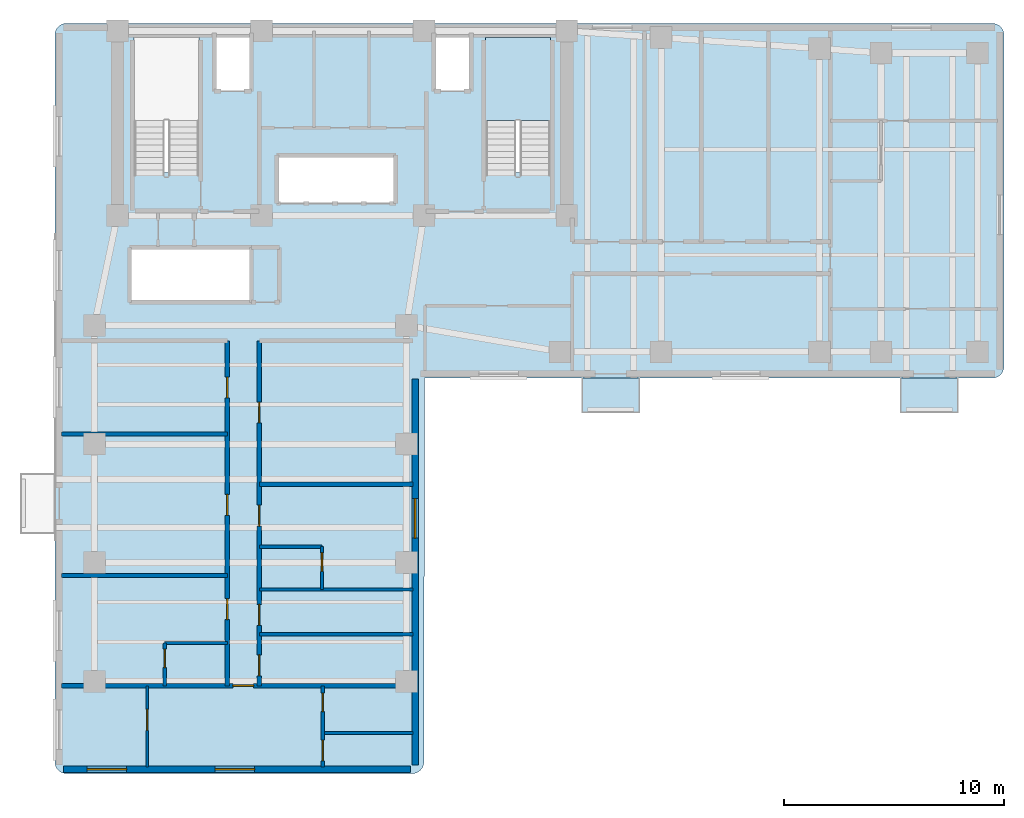
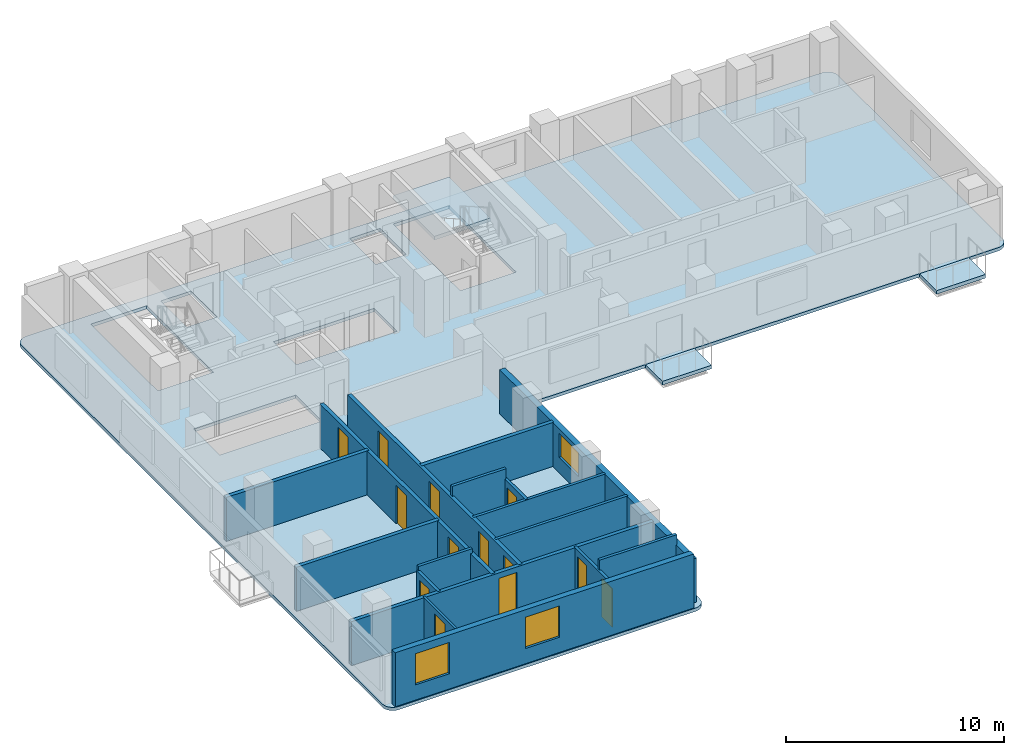
# One storey, part 2 of 7: 17 walls, 13 doors, 4 slabs, 3 windows, 16 openings, 1 element without a shape of its own.
"""IFC4 building model written with IfcOpenShell, lengths in metres."""

import ifcopenshell
import ifcopenshell.guid

model = None  # the IFC model being written
_history = None  # IfcOwnerHistory: only IFC2X3 demands one
_inside = {}  # id of a spatial element -> (the spatial element, [elements in it])
_under = {}  # id of a project, library or spatial element -> (it, [spatial elements below it])
_declared = {}  # id of a project -> (the project, [libraries it declares])
_typed = {}  # id of a type object -> (the type object, [elements of that type])
_made_of = {}  # id of a material, layer set ... -> (it, [elements and type objects made of it])


def new_model(schema):
    """Start an empty IFC model of exactly this schema.

    Asked for "IFC4X3", IfcOpenShell would pick the latest addendum, in which some entities
    have other attributes; the version numbers below select the first issue.
    IFC2X3 requires an IfcOwnerHistory on every rooted entity: one is made here for all.
    """
    global model, _history
    if schema == "IFC4X3":
        model = ifcopenshell.file(schema_version=(4, 3, 0, 0))
    else:
        model = ifcopenshell.file(schema=schema)
    _inside.clear()
    _under.clear()
    _declared.clear()
    _typed.clear()
    _made_of.clear()
    _history = None
    if model.schema == "IFC2X3":
        org = make("IfcOrganization", Name="unknown")
        user = make(
            "IfcPersonAndOrganization",
            ThePerson=make("IfcPerson", FamilyName="unknown"),
            TheOrganization=org,
        )
        app = make(
            "IfcApplication",
            ApplicationDeveloper=org,
            Version="unknown",
            ApplicationFullName="unknown",
            ApplicationIdentifier="unknown",
        )
        _history = make(
            "IfcOwnerHistory",
            OwningUser=user,
            OwningApplication=app,
            ChangeAction="ADDED",
            CreationDate=0,
        )
    return model


def make(cls, **values):
    """One entity of the class cls with the attributes given. An attribute that is None is left unset."""
    return model.create_entity(
        cls, **{name: value for name, value in values.items() if value is not None}
    )


def rooted(cls, **values):
    """An entity with a GlobalId (a new one), such as an element, a storey or a relation."""
    return make(cls, GlobalId=ifcopenshell.guid.new(), OwnerHistory=_history, **values)


def si_unit(unit_type, name, prefix=None):
    """IfcSIUnit, for example si_unit("LENGTHUNIT", "METRE", prefix="MILLI")."""
    return make("IfcSIUnit", UnitType=unit_type, Prefix=prefix, Name=name)


def assignment(units):
    """IfcUnitAssignment: the units of a project."""
    return None if units is None else make("IfcUnitAssignment", Units=units)


def point(xyz):
    """IfcCartesianPoint."""
    return None if xyz is None else make("IfcCartesianPoint", Coordinates=xyz)


def direction(xyz):
    """IfcDirection."""
    return None if xyz is None else make("IfcDirection", DirectionRatios=xyz)


def frame(location, z_axis=None, x_axis=None):
    """IfcAxis2Placement3D, a coordinate frame: its origin and axes. An axis left out is left unset."""
    return make(
        "IfcAxis2Placement3D",
        Location=point(location),
        Axis=direction(z_axis),
        RefDirection=direction(x_axis),
    )


def frame_2d(location, x_axis=None):
    """IfcAxis2Placement2D, a coordinate frame in the plane: its origin and x axis."""
    return make(
        "IfcAxis2Placement2D", Location=point(location), RefDirection=direction(x_axis)
    )


def origin():
    """The frame at (0, 0, 0) with its axes left unset."""
    return frame((0.0, 0.0, 0.0))


def place(relative_to, where):
    """IfcLocalPlacement: puts the frame where relative to a parent placement (None: the world)."""
    return make(
        "IfcLocalPlacement", PlacementRelTo=relative_to, RelativePlacement=where
    )


def context(
    kind, dimensions, precision=None, world=None, true_north=None, identifier=None
):
    """IfcGeometricRepresentationContext, for example the 3D "Model" context."""
    return make(
        "IfcGeometricRepresentationContext",
        ContextIdentifier=identifier,
        ContextType=kind,
        CoordinateSpaceDimension=dimensions,
        Precision=precision,
        WorldCoordinateSystem=world,
        TrueNorth=true_north,
    )


def subcontext(parent, identifier, kind, view, scale=None):
    """IfcGeometricRepresentationSubContext, for example "Body" below "Model"."""
    return make(
        "IfcGeometricRepresentationSubContext",
        ContextIdentifier=identifier,
        ContextType=kind,
        ParentContext=parent,
        TargetScale=scale,
        TargetView=view,
    )


def project(units=None, contexts=None):
    """IfcProject with its units and contexts."""
    return rooted(
        "IfcProject",
        Name="project",
        RepresentationContexts=contexts,
        UnitsInContext=assignment(units),
    )


def spatial(cls, under=None, at=None, **own):
    """A site, building, storey or space (cls), placed at a placement, below another one or the project."""
    s = rooted(cls, ObjectPlacement=at, **own)
    if under is not None:
        _under.setdefault(under.id(), (under, []))[1].append(s)
    return s


def polyline(points):
    """IfcPolyline through the points."""
    return make("IfcPolyline", Points=[point(p) for p in points])


def profile(cls, at=None, kind="AREA", **sizes):
    """A parametric profile (cls). Its sizes go by their IFC names, for example OverallWidth=200.0."""
    return make(cls, ProfileType=kind, Position=at, **sizes)


def rectangle(**sizes):
    """IfcRectangleProfileDef."""
    return profile("IfcRectangleProfileDef", **sizes)


def outline(outer, holes=None, kind="AREA"):
    """IfcArbitraryClosedProfileDef: a profile drawn as a closed curve; with holes, ...WithVoids."""
    if holes is None:
        return make("IfcArbitraryClosedProfileDef", ProfileType=kind, OuterCurve=outer)
    return make(
        "IfcArbitraryProfileDefWithVoids",
        ProfileType=kind,
        OuterCurve=outer,
        InnerCurves=holes,
    )


def extrude(swept, where, along, depth):
    """IfcExtrudedAreaSolid: the profile swept, set in the frame where, extruded along a direction by depth."""
    return make(
        "IfcExtrudedAreaSolid",
        SweptArea=swept,
        Position=where,
        ExtrudedDirection=direction(along),
        Depth=depth,
    )


def shape(context_of_items, identifier, shape_type, items):
    """IfcShapeRepresentation: the items that make up one representation, for example the "Body"."""
    return make(
        "IfcShapeRepresentation",
        ContextOfItems=context_of_items,
        RepresentationIdentifier=identifier,
        RepresentationType=shape_type,
        Items=items,
    )


def material(Name=None, Category=None):
    """IfcMaterial."""
    return make("IfcMaterial", Name=Name, Category=Category)


def layer(
    of_material, thickness, ventilated=None, Name=None, Category=None, Priority=None
):
    """IfcMaterialLayer: one layer of a wall or slab, of a material (None: an air gap)."""
    return make(
        "IfcMaterialLayer",
        Material=of_material,
        LayerThickness=thickness,
        IsVentilated=ventilated,
        Name=Name,
        Category=Category,
        Priority=Priority,
    )


def layer_set(layers, Name=None):
    """IfcMaterialLayerSet."""
    return make("IfcMaterialLayerSet", MaterialLayers=layers, LayerSetName=Name)


def made_of(thing, what):
    """Note that an element or type object is made of a material, layer set ...; save() writes the relation."""
    if what is not None:
        _made_of.setdefault(what.id(), (what, []))[1].append(thing)
    return thing


def type_object(cls, material=None, **own):
    """A type object (cls), such as IfcWallType, which elements share."""
    return made_of(rooted(cls, **own), material)


def element(
    cls,
    number,
    at=None,
    inside=None,
    cuts=None,
    type_object=None,
    material=None,
    context=None,
    identifier="Body",
    shape_type=None,
    held_by="IfcProductDefinitionShape",
    body=None,
    shapes=None,
    **own,
):
    """One element of the class cls, such as IfcWall. Its Tag is "e" and its number.

    at: its placement. inside: the storey or other place that contains it. cuts: it is an
    opening in that element (IfcRelVoidsElement). A single representation is given by context,
    identifier, shape_type and body (its items); several are given by shapes. held_by: the class
    of the entity that holds the representations. save() writes the other relations.
    """
    e = rooted(cls, Tag="e%d" % number, ObjectPlacement=at, **own)
    if body is not None:
        shapes = [shape(context, identifier, shape_type, body)]
    if shapes is not None:
        e.Representation = make(held_by, Representations=shapes)
    if inside is not None:
        _inside.setdefault(inside.id(), (inside, []))[1].append(e)
    if cuts is not None:
        rooted(
            "IfcRelVoidsElement", RelatingBuildingElement=cuts, RelatedOpeningElement=e
        )
    if type_object is not None:
        _typed.setdefault(type_object.id(), (type_object, []))[1].append(e)
    return made_of(e, material)


def fill(opening, filler):
    """IfcRelFillsElement: the door or window that sits in an opening."""
    return rooted(
        "IfcRelFillsElement",
        RelatingOpeningElement=opening,
        RelatedBuildingElement=filler,
    )


def aggregate(whole, parts):
    """IfcRelAggregates: a whole, such as a stair, and the parts it consists of."""
    return rooted("IfcRelAggregates", RelatingObject=whole, RelatedObjects=parts)


def save(model, path):
    """Write the relations noted so far, then the file.

    IfcRelAggregates (storeys below a building ...), IfcRelContainedInSpatialStructure (elements
    in a storey), IfcRelDefinesByType, IfcRelAssociatesMaterial and IfcRelDeclares: one each for
    every whole, place, type object, material and project.
    """
    for whole, parts in _under.values():
        aggregate(whole, parts)
    for where, things in _inside.values():
        rooted(
            "IfcRelContainedInSpatialStructure",
            RelatedElements=things,
            RelatingStructure=where,
        )
    for kind, things in _typed.values():
        rooted("IfcRelDefinesByType", RelatedObjects=things, RelatingType=kind)
    for what, things in _made_of.values():
        rooted("IfcRelAssociatesMaterial", RelatedObjects=things, RelatingMaterial=what)
    for by, libraries in _declared.values():
        rooted("IfcRelDeclares", RelatingContext=by, RelatedDefinitions=libraries)
    model.write(path)


model = new_model("IFC4")

# Units and contexts
model_context = context("Model", 3, precision=1e-05, world=origin(), true_north=direction((0.0, 1.0)))
body_context = subcontext(model_context, "Body", "Model", "MODEL_VIEW")
ifc_project = project(units=[si_unit("LENGTHUNIT", "METRE"), si_unit("AREAUNIT", "SQUARE_METRE"), si_unit("VOLUMEUNIT", "CUBIC_METRE"), si_unit("PLANEANGLEUNIT", "RADIAN"), si_unit("MASSUNIT", "GRAM", prefix="KILO")], contexts=[model_context])

# Site, building, storey
site_placement = place(None, origin())
site = spatial("IfcSite", under=ifc_project, at=site_placement, CompositionType="ELEMENT")
building_placement = place(site_placement, origin())
building = spatial("IfcBuilding", under=site, at=building_placement, Name="Kuzgunbayir Cultural Tower", CompositionType="ELEMENT")
storey_placement = place(building_placement, frame((0.0, 0.0, 133.0)))
storey = spatial("IfcBuildingStorey", under=building, at=storey_placement, Name="L38", CompositionType="ELEMENT", Elevation=133.0)

# Slabs
ifc_material_1 = material(Name="Concrete C40/50", Category="concrete")
ifc_layer_1 = layer(ifc_material_1, 0.199951171875)
ifc_layer_set_1 = layer_set([ifc_layer_1], Name="Concrete C40/50")
slab_type_1 = type_object("IfcSlabType", Name="SLB-BAL-STONE", PredefinedType="FLOOR", material=ifc_layer_set_1)
slab_1_placement = place(storey_placement, frame((0.0, 0.0, -0.199951171875)))
element("IfcSlab", 1, at=slab_1_placement, inside=storey, type_object=slab_type_1, Name="L38 Projecting Limestone Balcony BAL-L38-WB1", PredefinedType="FLOOR", context=body_context, shape_type="SweptSolid", body=[
    extrude(outline(polyline([(27.60009765625, 24.840087890625), (30.199951171875, 24.840087890625), (30.199951171875, 26.39990234375), (27.60009765625, 26.39990234375), (27.60009765625, 24.840087890625)])), origin(), (0.0, 0.0, 1.0), 0.199951171875),
])
slab_2_placement = place(storey_placement, frame((0.0, 0.0, -0.199951171875)))
element("IfcSlab", 2, at=slab_2_placement, inside=storey, type_object=slab_type_1, Name="L38 Projecting Limestone Balcony BAL-L38-WB3", PredefinedType="FLOOR", context=body_context, shape_type="SweptSolid", body=[
    extrude(outline(polyline([(42.10009765625, 24.840087890625), (44.699951171875, 24.840087890625), (44.699951171875, 26.39990234375), (42.10009765625, 26.39990234375), (42.10009765625, 24.840087890625)])), origin(), (0.0, 0.0, 1.0), 0.199951171875),
])

# Stair, slab
stair_type = type_object("IfcStairType", Name="STR-EXIT-CORE", PredefinedType="HALF_TURN_STAIR", material=ifc_material_1)
stair_placement = place(storey_placement, origin())
stair = element("IfcStair", 3, at=stair_placement, inside=storey, type_object=stair_type, Name="L38 ST-2", PredefinedType="HALF_TURN_STAIR")
ifc_layer_2 = layer(ifc_material_1, 0.179931640625)
ifc_layer_set_2 = layer_set([ifc_layer_2], Name="Concrete C40/50")
slab_type_2 = type_object("IfcSlabType", Name="SLB-LANDING-180", PredefinedType="LANDING", material=ifc_layer_set_2)
slab_3_placement = place(storey_placement, frame((0.0, 0.0, 1.39990234375)))
slab_3 = element("IfcSlab", 4, at=slab_3_placement, type_object=slab_type_2, Name="ST-2 landing 1", PredefinedType="LANDING", context=body_context, shape_type="SweptSolid", body=[
    extrude(outline(polyline([(26.159912109375, 38.1201171875), (26.159912109375, 41.89990234375), (23.199951171875, 41.89990234375), (23.199951171875, 38.1201171875), (26.159912109375, 38.1201171875)])), origin(), (0.0, 0.0, 1.0), 0.2001953125),
])
aggregate(stair, [slab_3])

# Slab
ifc_layer_3 = layer(ifc_material_1, 0.179931640625)
ifc_layer_set_3 = layer_set([ifc_layer_3], Name="Concrete C40/50")
slab_type_3 = type_object("IfcSlabType", Name="SLB-TYP-180", PredefinedType="FLOOR", material=ifc_layer_set_3)
slab_4_placement = place(storey_placement, frame((0.0, 0.0, -0.179931640625)))
element("IfcSlab", 5, at=slab_4_placement, inside=storey, type_object=slab_type_3, Name="L38 Tower 1 Floor Slab T1-MAIN", PredefinedType="FLOOR", context=body_context, shape_type="SweptSolid", body=[
    extrude(outline(polyline([(20.39990234375, 8.949951171875), (20.389892578125, 8.840087890625), (20.360107421875, 8.739990234375), (20.31005859375, 8.639892578125), (20.239990234375, 8.56005859375), (20.159912109375, 8.489990234375), (20.06005859375, 8.43994140625), (19.9599609375, 8.409912109375), (19.85009765625, 8.39990234375), (4.14990234375, 8.39990234375), (4.0400390625, 8.409912109375), (3.93994140625, 8.43994140625), (3.840087890625, 8.489990234375), (3.760009765625, 8.56005859375), (3.68994140625, 8.639892578125), (3.639892578125, 8.739990234375), (3.610107421875, 8.840087890625), (3.60009765625, 8.949951171875), (3.60009765625, 42.0), (3.610107421875, 42.110107421875), (3.639892578125, 42.2099609375), (3.68994140625, 42.31005859375), (3.760009765625, 42.389892578125), (3.840087890625, 42.4599609375), (3.93994140625, 42.510009765625), (4.0400390625, 42.5400390625), (4.14990234375, 42.550048828125), (46.25, 42.550048828125), (46.360107421875, 42.5400390625), (46.4599609375, 42.510009765625), (46.56005859375, 42.4599609375), (46.639892578125, 42.389892578125), (46.7099609375, 42.31005859375), (46.760009765625, 42.2099609375), (46.7900390625, 42.110107421875), (46.800048828125, 42.0), (46.800048828125, 26.949951171875), (46.7900390625, 26.840087890625), (46.760009765625, 26.739990234375), (46.7099609375, 26.639892578125), (46.639892578125, 26.56005859375), (46.56005859375, 26.489990234375), (46.4599609375, 26.43994140625), (46.360107421875, 26.409912109375), (46.25, 26.39990234375), (20.429931640625, 26.39990234375), (20.39990234375, 8.949951171875)]), holes=[polyline([(7.199951171875, 35.760009765625), (7.199951171875, 41.89990234375), (10.159912109375, 41.89990234375), (10.159912109375, 35.760009765625), (7.199951171875, 35.760009765625)]), polyline([(23.199951171875, 35.760009765625), (23.199951171875, 41.89990234375), (26.159912109375, 41.89990234375), (26.159912109375, 35.760009765625), (23.199951171875, 35.760009765625)]), polyline([(13.75, 34.39990234375), (13.75, 36.5), (19.080078125, 36.5), (19.080078125, 34.39990234375), (13.75, 34.39990234375)]), polyline([(7.10009765625, 29.89990234375), (7.10009765625, 32.300048828125), (12.5, 32.300048828125), (12.5, 29.89990234375), (7.10009765625, 29.89990234375)]), polyline([(10.89990234375, 39.5), (10.89990234375, 41.89990234375), (12.5, 41.89990234375), (12.5, 39.5), (10.89990234375, 39.5)]), polyline([(20.89990234375, 39.5), (20.89990234375, 41.89990234375), (22.5, 41.89990234375), (22.5, 39.5), (20.89990234375, 39.5)])]), origin(), (0.0, 0.0, 1.0), 0.179931640625),
])

# Wall, openings, windows
ifc_material_2 = material(Name="Anatolian Cream Limestone", Category="masonry")
ifc_layer_4 = layer(ifc_material_2, 0.300048828125)
ifc_layer_set_4 = layer_set([ifc_layer_4], Name="Anatolian Cream Limestone")
wall_type_1 = type_object("IfcWallType", Name="WAL-EXT-STONE-300", PredefinedType="STANDARD", material=ifc_layer_set_4)
wall_1_placement = place(storey_placement, frame((4.0, 8.60009765625, 0.0), z_axis=(0.0, 0.0, 1.0), x_axis=(1.0, 0.0, 0.0)))
wall_1 = element("IfcWall", 6, at=wall_1_placement, inside=storey, type_object=wall_type_1, Name="L38 Wing A South Limestone Wall", PredefinedType="STANDARD", context=body_context, shape_type="SweptSolid", body=[
    extrude(rectangle(XDim=15.800048828125, YDim=0.300048828125, at=frame_2d((7.89990234375, 0.0))), origin(), (0.0, 0.0, 1.0), 3.02001953125),
])
opening_1_placement = place(wall_1_placement, frame((1.070068359375, 0.0, 0.85009765625)))
opening_1 = element("IfcOpeningElement", 7, at=opening_1_placement, cuts=wall_1, Name="Opening WH-18", PredefinedType="OPENING", context=body_context, shape_type="SweptSolid", body=[
    extrude(rectangle(XDim=1.800048828125, YDim=1.75, at=frame_2d((0.89990234375, 0.875))), frame((0.0, 0.16015625, 0.0), z_axis=(0.0, -1.0, 0.0), x_axis=(1.0, 0.0, 0.0)), (0.0, 0.0, 1.0), 0.320068359375),
])
opening_2_placement = place(wall_1_placement, frame((6.89990234375, 0.0, 0.85009765625)))
opening_2 = element("IfcOpeningElement", 8, at=opening_2_placement, cuts=wall_1, Name="Opening WH-18", PredefinedType="OPENING", context=body_context, shape_type="SweptSolid", body=[
    extrude(rectangle(XDim=1.800048828125, YDim=1.75, at=frame_2d((0.89990234375, 0.875))), frame((0.0, 0.16015625, 0.0), z_axis=(0.0, -1.0, 0.0), x_axis=(1.0, 0.0, 0.0)), (0.0, 0.0, 1.0), 0.320068359375),
])
ifc_material_3 = material(Name="Solar-Control Triple Glazing", Category="glass")
window_type = type_object("IfcWindowType", Name="WIN-HOTEL-18", PartitioningType="SINGLE_PANEL", PredefinedType="WINDOW", material=ifc_material_3)
window_1_placement = place(opening_1_placement, origin())
window_1 = element("IfcWindow", 9, at=window_1_placement, inside=storey, type_object=window_type, Name="L38 WAS Facade Window 4", OverallHeight=1.75, OverallWidth=1.800048828125, PartitioningType="SINGLE_PANEL", PredefinedType="WINDOW", context=body_context, shape_type="SweptSolid", body=[
    extrude(rectangle(XDim=1.800048828125, YDim=1.75, at=frame_2d((0.89990234375, 0.875))), frame((0.0, 0.030029296875, 0.0), z_axis=(0.0, -1.0, 0.0), x_axis=(1.0, 0.0, 0.0)), (0.0, 0.0, 1.0), 0.06005859375),
])
fill(opening_1, window_1)
window_2_placement = place(opening_2_placement, origin())
window_2 = element("IfcWindow", 10, at=window_2_placement, inside=storey, type_object=window_type, Name="L38 WAS Facade Window 5", OverallHeight=1.75, OverallWidth=1.800048828125, PartitioningType="SINGLE_PANEL", PredefinedType="WINDOW", context=body_context, shape_type="SweptSolid", body=[
    extrude(rectangle(XDim=1.800048828125, YDim=1.75, at=frame_2d((0.89990234375, 0.875))), frame((0.0, 0.030029296875, 0.0), z_axis=(0.0, -1.0, 0.0), x_axis=(1.0, 0.0, 0.0)), (0.0, 0.0, 1.0), 0.06005859375),
])
fill(opening_2, window_2)

# Wall, opening, window
wall_2_placement = place(storey_placement, frame((20.0, 8.800048828125, 0.0), z_axis=(0.0, 0.0, 1.0), x_axis=(0.0, 1.0, 0.0)))
wall_2 = element("IfcWall", 11, at=wall_2_placement, inside=storey, type_object=wall_type_1, Name="L38 Wing A East Limestone Wall", PredefinedType="STANDARD", context=body_context, shape_type="SweptSolid", body=[
    extrude(rectangle(XDim=17.550048828125, YDim=0.300048828125, at=frame_2d((8.77490234375, 0.0))), origin(), (0.0, 0.0, 1.0), 2.4599609375),
])
opening_3_placement = place(wall_2_placement, frame((10.320068359375, 0.0, 0.85009765625)))
opening_3 = element("IfcOpeningElement", 12, at=opening_3_placement, cuts=wall_2, Name="Opening WH-18", PredefinedType="OPENING", context=body_context, shape_type="SweptSolid", body=[
    extrude(rectangle(XDim=1.800048828125, YDim=1.360107421875, at=frame_2d((0.89990234375, 0.68017578125))), frame((0.0, 0.16015625, 0.0), z_axis=(0.0, -1.0, 0.0), x_axis=(1.0, 0.0, 0.0)), (0.0, 0.0, 1.0), 0.320068359375),
])
window_3_placement = place(opening_3_placement, origin())
window_3 = element("IfcWindow", 13, at=window_3_placement, inside=storey, type_object=window_type, Name="L38 WAE Facade Window 6", OverallHeight=1.360107421875, OverallWidth=1.800048828125, PartitioningType="SINGLE_PANEL", PredefinedType="WINDOW", context=body_context, shape_type="SweptSolid", body=[
    extrude(rectangle(XDim=1.800048828125, YDim=1.360107421875, at=frame_2d((0.89990234375, 0.68017578125))), frame((0.0, 0.030029296875, 0.0), z_axis=(0.0, -1.0, 0.0), x_axis=(1.0, 0.0, 0.0)), (0.0, 0.0, 1.0), 0.06005859375),
])
fill(opening_3, window_3)

# Wall
ifc_material_4 = material(Name="Acoustic Double-Stud Drywall", Category="gypsum")
ifc_layer_5 = layer(ifc_material_4, 0.14990234375)
ifc_layer_set_5 = layer_set([ifc_layer_5], Name="Acoustic Double-Stud Drywall")
wall_type_2 = type_object("IfcWallType", Name="WAL-PART-ACOUSTIC-150", PredefinedType="PARTITIONING", material=ifc_layer_set_5)
wall_3_placement = place(storey_placement, frame((12.909912109375, 14.75, 0.0), z_axis=(0.0, 0.0, 1.0), x_axis=(1.0, 0.0, 0.0)))
element("IfcWall", 14, at=wall_3_placement, inside=storey, type_object=wall_type_2, Name="L38 Housekeeping North Wall", PredefinedType="PARTITIONING", context=body_context, shape_type="SweptSolid", body=[
    extrude(rectangle(XDim=6.989990234375, YDim=0.14990234375, at=frame_2d((3.4951171875, 0.0))), origin(), (0.0, 0.0, 1.0), 2.4599609375),
])

# Wall, openings, doors
ifc_material_5 = material(Name="Aerated Concrete Blockwork", Category="masonry")
ifc_layer_6 = layer(ifc_material_5, 0.199951171875)
ifc_layer_set_6 = layer_set([ifc_layer_6], Name="Aerated Concrete Blockwork")
wall_type_3 = type_object("IfcWallType", Name="WAL-PART-FIRE-200", PredefinedType="PARTITIONING", material=ifc_layer_set_6)
wall_4_placement = place(storey_placement, frame((11.449951171875, 12.39990234375, 0.0), z_axis=(0.0, 0.0, 1.0), x_axis=(0.0, 1.0, 0.0)))
wall_4 = element("IfcWall", 15, at=wall_4_placement, inside=storey, type_object=wall_type_3, Name="L38 Wing A West Corridor Wall", PredefinedType="PARTITIONING", context=body_context, shape_type="SweptSolid", body=[
    extrude(rectangle(XDim=15.7001953125, YDim=0.199951171875, at=frame_2d((7.85009765625, 0.0))), origin(), (0.0, 0.0, 1.0), 2.4599609375),
])
opening_4_placement = place(wall_4_placement, frame((3.010009765625, 0.0, 0.0)))
opening_4 = element("IfcOpeningElement", 16, at=opening_4_placement, cuts=wall_4, Name="Opening DR-APT-60", PredefinedType="OPENING", context=body_context, shape_type="SweptSolid", body=[
    extrude(rectangle(XDim=0.949951171875, YDim=2.14990234375, at=frame_2d((0.47509765625, 1.074951171875))), frame((0.0, 0.10986328125, 0.0), z_axis=(0.0, -1.0, 0.0), x_axis=(1.0, 0.0, 0.0)), (0.0, 0.0, 1.0), 0.219970703125),
])
opening_5_placement = place(wall_4_placement, frame((7.760009765625, 0.0, 0.0)))
opening_5 = element("IfcOpeningElement", 17, at=opening_5_placement, cuts=wall_4, Name="Opening DI-90", PredefinedType="OPENING", context=body_context, shape_type="SweptSolid", body=[
    extrude(rectangle(XDim=0.949951171875, YDim=2.14990234375, at=frame_2d((0.47509765625, 1.074951171875))), frame((0.0, 0.10986328125, 0.0), z_axis=(0.0, -1.0, 0.0), x_axis=(1.0, 0.0, 0.0)), (0.0, 0.0, 1.0), 0.219970703125),
])
opening_6_placement = place(wall_4_placement, frame((13.10009765625, 0.0, 0.0)))
opening_6 = element("IfcOpeningElement", 18, at=opening_6_placement, cuts=wall_4, Name="Opening DI-90", PredefinedType="OPENING", context=body_context, shape_type="SweptSolid", body=[
    extrude(rectangle(XDim=0.949951171875, YDim=2.14990234375, at=frame_2d((0.47509765625, 1.074951171875))), frame((0.0, 0.10986328125, 0.0), z_axis=(0.0, -1.0, 0.0), x_axis=(1.0, 0.0, 0.0)), (0.0, 0.0, 1.0), 0.219970703125),
])
ifc_material_6 = material(Name="Acoustic Fire Timber Leaf", Category="wood")
door_type_1 = type_object("IfcDoorType", Name="DR-APT-60", OperationType="NOTDEFINED", PredefinedType="DOOR", material=ifc_material_6)
door_1_placement = place(opening_4_placement, origin())
door_1 = element("IfcDoor", 19, at=door_1_placement, inside=storey, type_object=door_type_1, Name="L38 Guest Suite W1 Entrance", OperationType="SINGLE_SWING_RIGHT", OverallHeight=2.14990234375, OverallWidth=0.949951171875, PredefinedType="DOOR", context=body_context, shape_type="SweptSolid", body=[
    extrude(rectangle(XDim=0.949951171875, YDim=2.14990234375, at=frame_2d((0.47509765625, 1.074951171875))), frame((0.0, 0.02490234375, 0.0), z_axis=(0.0, -1.0, 0.0), x_axis=(1.0, 0.0, 0.0)), (0.0, 0.0, 1.0), 0.050048828125),
])
fill(opening_4, door_1)
ifc_material_7 = material(Name="Veneered Oak Single Leaf", Category="wood")
door_type_2 = type_object("IfcDoorType", Name="DR-INT-90", OperationType="NOTDEFINED", PredefinedType="DOOR", material=ifc_material_7)
door_2_placement = place(opening_5_placement, origin())
door_2 = element("IfcDoor", 20, at=door_2_placement, inside=storey, type_object=door_type_2, Name="L38 Wellness Consultation Studio 2 Door", OperationType="SINGLE_SWING_LEFT", OverallHeight=2.14990234375, OverallWidth=0.949951171875, PredefinedType="DOOR", context=body_context, shape_type="SweptSolid", body=[
    extrude(rectangle(XDim=0.949951171875, YDim=2.14990234375, at=frame_2d((0.47509765625, 1.074951171875))), frame((0.0, 0.02490234375, 0.0), z_axis=(0.0, -1.0, 0.0), x_axis=(1.0, 0.0, 0.0)), (0.0, 0.0, 1.0), 0.050048828125),
])
fill(opening_5, door_2)
door_3_placement = place(opening_6_placement, origin())
door_3 = element("IfcDoor", 21, at=door_3_placement, inside=storey, type_object=door_type_2, Name="L38 Wellness Consultation Studio 3 Door", OperationType="SINGLE_SWING_RIGHT", OverallHeight=2.14990234375, OverallWidth=0.949951171875, PredefinedType="DOOR", context=body_context, shape_type="SweptSolid", body=[
    extrude(rectangle(XDim=0.949951171875, YDim=2.14990234375, at=frame_2d((0.47509765625, 1.074951171875))), frame((0.0, 0.02490234375, 0.0), z_axis=(0.0, -1.0, 0.0), x_axis=(1.0, 0.0, 0.0)), (0.0, 0.0, 1.0), 0.050048828125),
])
fill(opening_6, door_3)

wall_5_placement = place(storey_placement, frame((12.909912109375, 12.39990234375, 0.0), z_axis=(0.0, 0.0, 1.0), x_axis=(0.0, 1.0, 0.0)))
wall_5 = element("IfcWall", 22, at=wall_5_placement, inside=storey, type_object=wall_type_3, Name="L38 Wing A East Corridor Wall", PredefinedType="PARTITIONING", context=body_context, shape_type="SweptSolid", body=[
    extrude(rectangle(XDim=15.7001953125, YDim=0.199951171875, at=frame_2d((7.85009765625, 0.0))), origin(), (0.0, 0.0, 1.0), 2.4599609375),
])
opening_7_placement = place(wall_5_placement, frame((0.449951171875, 0.0, 0.0)))
opening_7 = element("IfcOpeningElement", 23, at=opening_7_placement, cuts=wall_5, Name="Opening DI-90", PredefinedType="OPENING", context=body_context, shape_type="SweptSolid", body=[
    extrude(rectangle(XDim=0.949951171875, YDim=2.14990234375, at=frame_2d((0.47509765625, 1.074951171875))), frame((0.0, 0.10986328125, 0.0), z_axis=(0.0, -1.0, 0.0), x_axis=(1.0, 0.0, 0.0)), (0.0, 0.0, 1.0), 0.219970703125),
])
opening_8_placement = place(wall_5_placement, frame((2.75, 0.0, 0.0)))
opening_8 = element("IfcOpeningElement", 24, at=opening_8_placement, cuts=wall_5, Name="Opening DW-95", PredefinedType="OPENING", context=body_context, shape_type="SweptSolid", body=[
    extrude(rectangle(XDim=0.949951171875, YDim=2.10009765625, at=frame_2d((0.47509765625, 1.050048828125))), frame((0.0, 0.10986328125, 0.0), z_axis=(0.0, -1.0, 0.0), x_axis=(1.0, 0.0, 0.0)), (0.0, 0.0, 1.0), 0.219970703125),
])
opening_9_placement = place(wall_5_placement, frame((11.9599609375, 0.0, 0.0)))
opening_9 = element("IfcOpeningElement", 25, at=opening_9_placement, cuts=wall_5, Name="Opening DI-90", PredefinedType="OPENING", context=body_context, shape_type="SweptSolid", body=[
    extrude(rectangle(XDim=0.949951171875, YDim=2.14990234375, at=frame_2d((0.47509765625, 1.074951171875))), frame((0.0, 0.10986328125, 0.0), z_axis=(0.0, -1.0, 0.0), x_axis=(1.0, 0.0, 0.0)), (0.0, 0.0, 1.0), 0.219970703125),
])
opening_10_placement = place(wall_5_placement, frame((7.27001953125, 0.0, 0.0)))
opening_10 = element("IfcOpeningElement", 26, at=opening_10_placement, cuts=wall_5, Name="Opening DR-APT-60", PredefinedType="OPENING", context=body_context, shape_type="SweptSolid", body=[
    extrude(rectangle(XDim=0.949951171875, YDim=2.14990234375, at=frame_2d((0.47509765625, 1.074951171875))), frame((0.0, 0.10986328125, 0.0), z_axis=(0.0, -1.0, 0.0), x_axis=(1.0, 0.0, 0.0)), (0.0, 0.0, 1.0), 0.219970703125),
])
door_4_placement = place(opening_10_placement, origin())
door_4 = element("IfcDoor", 27, at=door_4_placement, inside=storey, type_object=door_type_1, Name="L38 Guest Suite E1 Entrance", OperationType="SINGLE_SWING_LEFT", OverallHeight=2.14990234375, OverallWidth=0.949951171875, PredefinedType="DOOR", context=body_context, shape_type="SweptSolid", body=[
    extrude(rectangle(XDim=0.949951171875, YDim=2.14990234375, at=frame_2d((0.47509765625, 1.074951171875))), frame((0.0, 0.02490234375, 0.0), z_axis=(0.0, -1.0, 0.0), x_axis=(1.0, 0.0, 0.0)), (0.0, 0.0, 1.0), 0.050048828125),
])
fill(opening_10, door_4)
door_5_placement = place(opening_7_placement, origin())
door_5 = element("IfcDoor", 28, at=door_5_placement, inside=storey, type_object=door_type_2, Name="L38 Housekeeping Room Door", OperationType="SINGLE_SWING_LEFT", OverallHeight=2.14990234375, OverallWidth=0.949951171875, PredefinedType="DOOR", context=body_context, shape_type="SweptSolid", body=[
    extrude(rectangle(XDim=0.949951171875, YDim=2.14990234375, at=frame_2d((0.47509765625, 1.074951171875))), frame((0.0, 0.02490234375, 0.0), z_axis=(0.0, -1.0, 0.0), x_axis=(1.0, 0.0, 0.0)), (0.0, 0.0, 1.0), 0.050048828125),
])
fill(opening_7, door_5)
door_6_placement = place(opening_9_placement, origin())
door_6 = element("IfcDoor", 29, at=door_6_placement, inside=storey, type_object=door_type_2, Name="L38 Wellness Consultation Studio E1 Door", OperationType="SINGLE_SWING_LEFT", OverallHeight=2.14990234375, OverallWidth=0.949951171875, PredefinedType="DOOR", context=body_context, shape_type="SweptSolid", body=[
    extrude(rectangle(XDim=0.949951171875, YDim=2.14990234375, at=frame_2d((0.47509765625, 1.074951171875))), frame((0.0, 0.02490234375, 0.0), z_axis=(0.0, -1.0, 0.0), x_axis=(1.0, 0.0, 0.0)), (0.0, 0.0, 1.0), 0.050048828125),
])
fill(opening_9, door_6)
ifc_material_8 = material(Name="Laminate Moisture-Resistant Leaf", Category="wood")
door_type_3 = type_object("IfcDoorType", Name="DR-WET-95", OperationType="NOTDEFINED", PredefinedType="DOOR", material=ifc_material_8)
door_7_placement = place(opening_8_placement, origin())
door_7 = element("IfcDoor", 30, at=door_7_placement, inside=storey, type_object=door_type_3, Name="L38 Accessible WC Door", OperationType="SINGLE_SWING_RIGHT", OverallHeight=2.10009765625, OverallWidth=0.949951171875, PredefinedType="DOOR", context=body_context, shape_type="SweptSolid", body=[
    extrude(rectangle(XDim=0.949951171875, YDim=2.10009765625, at=frame_2d((0.47509765625, 1.050048828125))), frame((0.0, 0.02490234375, 0.0), z_axis=(0.0, -1.0, 0.0), x_axis=(1.0, 0.0, 0.0)), (0.0, 0.0, 1.0), 0.050048828125),
])
fill(opening_8, door_7)

# Wall, opening, door
wall_6_placement = place(storey_placement, frame((3.89990234375, 12.39990234375, 0.0), z_axis=(0.0, 0.0, 1.0), x_axis=(1.0, 0.0, 0.0)))
wall_6 = element("IfcWall", 31, at=wall_6_placement, inside=storey, type_object=wall_type_3, Name="L38 South Cross Partition", PredefinedType="PARTITIONING", context=body_context, shape_type="SweptSolid", body=[
    extrude(rectangle(XDim=16.0, YDim=0.199951171875, at=frame_2d((8.0, 0.0))), origin(), (0.0, 0.0, 1.0), 2.4599609375),
])
opening_11_placement = place(wall_6_placement, frame((7.800048828125, 0.0, 0.0)))
opening_11 = element("IfcOpeningElement", 32, at=opening_11_placement, cuts=wall_6, Name="Opening DR-APT-60", PredefinedType="OPENING", context=body_context, shape_type="SweptSolid", body=[
    extrude(rectangle(XDim=0.949951171875, YDim=2.14990234375, at=frame_2d((0.47509765625, 1.074951171875))), frame((0.0, 0.10986328125, 0.0), z_axis=(0.0, -1.0, 0.0), x_axis=(1.0, 0.0, 0.0)), (0.0, 0.0, 1.0), 0.219970703125),
])
door_8_placement = place(opening_11_placement, origin())
door_8 = element("IfcDoor", 33, at=door_8_placement, inside=storey, type_object=door_type_1, Name="L38 Diplomatic Suite Entrance", OperationType="SINGLE_SWING_LEFT", OverallHeight=2.14990234375, OverallWidth=0.949951171875, PredefinedType="DOOR", context=body_context, shape_type="SweptSolid", body=[
    extrude(rectangle(XDim=0.949951171875, YDim=2.14990234375, at=frame_2d((0.47509765625, 1.074951171875))), frame((0.0, 0.02490234375, 0.0), z_axis=(0.0, -1.0, 0.0), x_axis=(1.0, 0.0, 0.0)), (0.0, 0.0, 1.0), 0.050048828125),
])
fill(opening_11, door_8)

# Walls
for number, where, z_axis, x_axis, name in (
    (34, (3.89990234375, 17.419921875, 0.0), (0.0, 0.0, 1.0), (1.0, 0.0, 0.0), "L38 West Party Wall 1"),
    (35, (3.89990234375, 23.860107421875, 0.0), (0.0, 0.0, 1.0), (1.0, 0.0, 0.0), "L38 West Party Wall 2"),
):
    element("IfcWall", number, at=place(storey_placement, frame(where, z_axis=z_axis, x_axis=x_axis)), inside=storey, type_object=wall_type_3, Name=name, PredefinedType="PARTITIONING", context=body_context, shape_type="SweptSolid", body=[
        extrude(rectangle(XDim=7.550048828125, YDim=0.199951171875, at=frame_2d((3.77490234375, 0.0))), origin(), (0.0, 0.0, 1.0), 2.4599609375),
    ])
wall_7_placement = place(storey_placement, frame((12.909912109375, 21.570068359375, 0.0), z_axis=(0.0, 0.0, 1.0), x_axis=(1.0, 0.0, 0.0)))
element("IfcWall", 36, at=wall_7_placement, inside=storey, type_object=wall_type_3, Name="L38 Suite E1 Sub-Party Wall", PredefinedType="PARTITIONING", context=body_context, shape_type="SweptSolid", body=[
    extrude(rectangle(XDim=6.989990234375, YDim=0.199951171875, at=frame_2d((3.4951171875, 0.0))), origin(), (0.0, 0.0, 1.0), 2.4599609375),
])

# Wall, opening, door
ifc_material_9 = material(Name="Framed Gypsum Partition", Category="gypsum")
ifc_layer_7 = layer(ifc_material_9, 0.1201171875)
ifc_layer_set_7 = layer_set([ifc_layer_7], Name="Framed Gypsum Partition")
wall_type_4 = type_object("IfcWallType", Name="WAL-PART-INT-120", PredefinedType="PARTITIONING", material=ifc_layer_set_7)
wall_8_placement = place(storey_placement, frame((7.800048828125, 8.699951171875, 0.0), z_axis=(0.0, 0.0, 1.0), x_axis=(0.0, 1.0, 0.0)))
wall_8 = element("IfcWall", 37, at=wall_8_placement, inside=storey, type_object=wall_type_4, Name="L38 Diplomatic Suite Bedroom Wall", PredefinedType="PARTITIONING", context=body_context, shape_type="SweptSolid", body=[
    extrude(rectangle(XDim=3.699951171875, YDim=0.1201171875, at=frame_2d((1.85009765625, 0.0))), origin(), (0.0, 0.0, 1.0), 2.4599609375),
])
opening_12_placement = place(wall_8_placement, frame((1.669921875, 0.0, 0.0)))
opening_12 = element("IfcOpeningElement", 38, at=opening_12_placement, cuts=wall_8, Name="Opening DI-90", PredefinedType="OPENING", context=body_context, shape_type="SweptSolid", body=[
    extrude(rectangle(XDim=0.949951171875, YDim=2.14990234375, at=frame_2d((0.47509765625, 1.074951171875))), frame((0.0, 0.070068359375, 0.0), z_axis=(0.0, -1.0, 0.0), x_axis=(1.0, 0.0, 0.0)), (0.0, 0.0, 1.0), 0.14013671875),
])
door_9_placement = place(opening_12_placement, origin())
door_9 = element("IfcDoor", 39, at=door_9_placement, inside=storey, type_object=door_type_2, Name="L38 Diplomatic Bedroom Door", OperationType="SINGLE_SWING_RIGHT", OverallHeight=2.14990234375, OverallWidth=0.949951171875, PredefinedType="DOOR", context=body_context, shape_type="SweptSolid", body=[
    extrude(rectangle(XDim=0.949951171875, YDim=2.14990234375, at=frame_2d((0.47509765625, 1.074951171875))), frame((0.0, 0.02490234375, 0.0), z_axis=(0.0, -1.0, 0.0), x_axis=(1.0, 0.0, 0.0)), (0.0, 0.0, 1.0), 0.050048828125),
])
fill(opening_12, door_9)

# Wall
ifc_material_10 = material(Name="Moisture-Resistant Tile Partition", Category="gypsum")
ifc_layer_8 = layer(ifc_material_10, 0.14990234375)
ifc_layer_set_8 = layer_set([ifc_layer_8], Name="Moisture-Resistant Tile Partition")
wall_type_5 = type_object("IfcWallType", Name="WAL-PART-WET-150", PredefinedType="PARTITIONING", material=ifc_layer_set_8)
wall_9_placement = place(storey_placement, frame((8.60009765625, 14.35009765625, 0.0), z_axis=(0.0, 0.0, 1.0), x_axis=(1.0, 0.0, 0.0)))
element("IfcWall", 40, at=wall_9_placement, inside=storey, type_object=wall_type_5, Name="L38 Suite W1 En-Suite North Wall", PredefinedType="PARTITIONING", context=body_context, shape_type="SweptSolid", body=[
    extrude(rectangle(XDim=2.849853515625, YDim=0.14990234375, at=frame_2d((1.4248046875, 0.0))), origin(), (0.0, 0.0, 1.0), 2.7099609375),
])

# Wall, opening, door
wall_10_placement = place(storey_placement, frame((8.60009765625, 12.39990234375, 0.0), z_axis=(0.0, 0.0, 1.0), x_axis=(0.0, 1.0, 0.0)))
wall_10 = element("IfcWall", 41, at=wall_10_placement, inside=storey, type_object=wall_type_5, Name="L38 Suite W1 En-Suite West Wall", PredefinedType="PARTITIONING", context=body_context, shape_type="SweptSolid", body=[
    extrude(rectangle(XDim=1.9501953125, YDim=0.14990234375, at=frame_2d((0.97509765625, 0.0))), origin(), (0.0, 0.0, 1.0), 2.4599609375),
])
opening_13_placement = place(wall_10_placement, frame((0.820068359375, 0.0, 0.0)))
opening_13 = element("IfcOpeningElement", 42, at=opening_13_placement, cuts=wall_10, Name="Opening DW-85", PredefinedType="OPENING", context=body_context, shape_type="SweptSolid", body=[
    extrude(rectangle(XDim=0.85009765625, YDim=2.10009765625, at=frame_2d((0.425048828125, 1.050048828125))), frame((0.0, 0.0849609375, 0.0), z_axis=(0.0, -1.0, 0.0), x_axis=(1.0, 0.0, 0.0)), (0.0, 0.0, 1.0), 0.169921875),
])
door_type_4 = type_object("IfcDoorType", Name="DR-WET-85", OperationType="NOTDEFINED", PredefinedType="DOOR", material=ifc_material_8)
door_10_placement = place(opening_13_placement, origin())
door_10 = element("IfcDoor", 43, at=door_10_placement, inside=storey, type_object=door_type_4, Name="L38 Suite W1 En-Suite Door", OperationType="SINGLE_SWING_LEFT", OverallHeight=2.10009765625, OverallWidth=0.85009765625, PredefinedType="DOOR", context=body_context, shape_type="SweptSolid", body=[
    extrude(rectangle(XDim=0.85009765625, YDim=2.10009765625, at=frame_2d((0.425048828125, 1.050048828125))), frame((0.0, 0.02490234375, 0.0), z_axis=(0.0, -1.0, 0.0), x_axis=(1.0, 0.0, 0.0)), (0.0, 0.0, 1.0), 0.050048828125),
])
fill(opening_13, door_10)

# Wall, openings, doors
wall_11_placement = place(storey_placement, frame((15.800048828125, 8.699951171875, 0.0), z_axis=(0.0, 0.0, 1.0), x_axis=(0.0, 1.0, 0.0)))
wall_11 = element("IfcWall", 44, at=wall_11_placement, inside=storey, type_object=wall_type_5, Name="L38 Diplomatic Suite Service Wall", PredefinedType="PARTITIONING", context=body_context, shape_type="SweptSolid", body=[
    extrude(rectangle(XDim=3.699951171875, YDim=0.14990234375, at=frame_2d((1.85009765625, 0.0))), origin(), (0.0, 0.0, 1.0), 2.4599609375),
])
opening_14_placement = place(wall_11_placement, frame((0.280029296875, 0.0, 0.0)))
opening_14 = element("IfcOpeningElement", 45, at=opening_14_placement, cuts=wall_11, Name="Opening DI-90", PredefinedType="OPENING", context=body_context, shape_type="SweptSolid", body=[
    extrude(rectangle(XDim=0.949951171875, YDim=2.14990234375, at=frame_2d((0.47509765625, 1.074951171875))), frame((0.0, 0.0849609375, 0.0), z_axis=(0.0, -1.0, 0.0), x_axis=(1.0, 0.0, 0.0)), (0.0, 0.0, 1.0), 0.169921875),
])
opening_15_placement = place(wall_11_placement, frame((2.52001953125, 0.0, 0.0)))
opening_15 = element("IfcOpeningElement", 46, at=opening_15_placement, cuts=wall_11, Name="Opening DW-85", PredefinedType="OPENING", context=body_context, shape_type="SweptSolid", body=[
    extrude(rectangle(XDim=0.85009765625, YDim=2.10009765625, at=frame_2d((0.425048828125, 1.050048828125))), frame((0.0, 0.0849609375, 0.0), z_axis=(0.0, -1.0, 0.0), x_axis=(1.0, 0.0, 0.0)), (0.0, 0.0, 1.0), 0.169921875),
])
door_11_placement = place(opening_14_placement, origin())
door_11 = element("IfcDoor", 47, at=door_11_placement, inside=storey, type_object=door_type_2, Name="L38 Diplomatic Kitchen Door", OperationType="SINGLE_SWING_LEFT", OverallHeight=2.14990234375, OverallWidth=0.949951171875, PredefinedType="DOOR", context=body_context, shape_type="SweptSolid", body=[
    extrude(rectangle(XDim=0.949951171875, YDim=2.14990234375, at=frame_2d((0.47509765625, 1.074951171875))), frame((0.0, 0.02490234375, 0.0), z_axis=(0.0, -1.0, 0.0), x_axis=(1.0, 0.0, 0.0)), (0.0, 0.0, 1.0), 0.050048828125),
])
fill(opening_14, door_11)
door_12_placement = place(opening_15_placement, origin())
door_12 = element("IfcDoor", 48, at=door_12_placement, inside=storey, type_object=door_type_4, Name="L38 Diplomatic Bathroom Door", OperationType="SINGLE_SWING_RIGHT", OverallHeight=2.10009765625, OverallWidth=0.85009765625, PredefinedType="DOOR", context=body_context, shape_type="SweptSolid", body=[
    extrude(rectangle(XDim=0.85009765625, YDim=2.10009765625, at=frame_2d((0.425048828125, 1.050048828125))), frame((0.0, 0.02490234375, 0.0), z_axis=(0.0, -1.0, 0.0), x_axis=(1.0, 0.0, 0.0)), (0.0, 0.0, 1.0), 0.050048828125),
])
fill(opening_15, door_12)

# Walls
wall_12_placement = place(storey_placement, frame((15.800048828125, 10.25, 0.0), z_axis=(0.0, 0.0, 1.0), x_axis=(1.0, 0.0, 0.0)))
element("IfcWall", 49, at=wall_12_placement, inside=storey, type_object=wall_type_5, Name="L38 Diplomatic Suite Bath Kitchen Divider", PredefinedType="PARTITIONING", context=body_context, shape_type="SweptSolid", body=[
    extrude(rectangle(XDim=4.099853515625, YDim=0.14990234375, at=frame_2d((2.0498046875, 0.0))), origin(), (0.0, 0.0, 1.0), 3.02001953125),
])
wall_13_placement = place(storey_placement, frame((12.909912109375, 16.780029296875, 0.0), z_axis=(0.0, 0.0, 1.0), x_axis=(1.0, 0.0, 0.0)))
element("IfcWall", 50, at=wall_13_placement, inside=storey, type_object=wall_type_5, Name="L38 Accessible WC North Wall", PredefinedType="PARTITIONING", context=body_context, shape_type="SweptSolid", body=[
    extrude(rectangle(XDim=6.989990234375, YDim=0.14990234375, at=frame_2d((3.4951171875, 0.0))), origin(), (0.0, 0.0, 1.0), 2.4599609375),
])
wall_14_placement = place(storey_placement, frame((12.909912109375, 18.72998046875, 0.0), z_axis=(0.0, 0.0, 1.0), x_axis=(1.0, 0.0, 0.0)))
element("IfcWall", 51, at=wall_14_placement, inside=storey, type_object=wall_type_5, Name="L38 Suite E1 En-Suite North Wall", PredefinedType="PARTITIONING", context=body_context, shape_type="SweptSolid", body=[
    extrude(rectangle(XDim=2.85009765625, YDim=0.14990234375, at=frame_2d((1.425048828125, 0.0))), origin(), (0.0, 0.0, 1.0), 3.02001953125),
])

# Wall, opening, door
wall_15_placement = place(storey_placement, frame((15.760009765625, 16.780029296875, 0.0), z_axis=(0.0, 0.0, 1.0), x_axis=(0.0, 1.0, 0.0)))
wall_15 = element("IfcWall", 52, at=wall_15_placement, inside=storey, type_object=wall_type_5, Name="L38 Suite E1 En-Suite East Wall", PredefinedType="PARTITIONING", context=body_context, shape_type="SweptSolid", body=[
    extrude(rectangle(XDim=1.949951171875, YDim=0.14990234375, at=frame_2d((0.97509765625, 0.0))), origin(), (0.0, 0.0, 1.0), 2.4599609375),
])
opening_16_placement = place(wall_15_placement, frame((0.820068359375, 0.0, 0.0)))
opening_16 = element("IfcOpeningElement", 53, at=opening_16_placement, cuts=wall_15, Name="Opening DW-85", PredefinedType="OPENING", context=body_context, shape_type="SweptSolid", body=[
    extrude(rectangle(XDim=0.85009765625, YDim=2.10009765625, at=frame_2d((0.425048828125, 1.050048828125))), frame((0.0, 0.0849609375, 0.0), z_axis=(0.0, -1.0, 0.0), x_axis=(1.0, 0.0, 0.0)), (0.0, 0.0, 1.0), 0.169921875),
])
door_13_placement = place(opening_16_placement, origin())
door_13 = element("IfcDoor", 54, at=door_13_placement, inside=storey, type_object=door_type_4, Name="L38 Suite E1 En-Suite Door", OperationType="SINGLE_SWING_RIGHT", OverallHeight=2.10009765625, OverallWidth=0.85009765625, PredefinedType="DOOR", context=body_context, shape_type="SweptSolid", body=[
    extrude(rectangle(XDim=0.85009765625, YDim=2.10009765625, at=frame_2d((0.425048828125, 1.050048828125))), frame((0.0, 0.02490234375, 0.0), z_axis=(0.0, -1.0, 0.0), x_axis=(1.0, 0.0, 0.0)), (0.0, 0.0, 1.0), 0.050048828125),
])
fill(opening_16, door_13)

save(model, "model.ifc")
